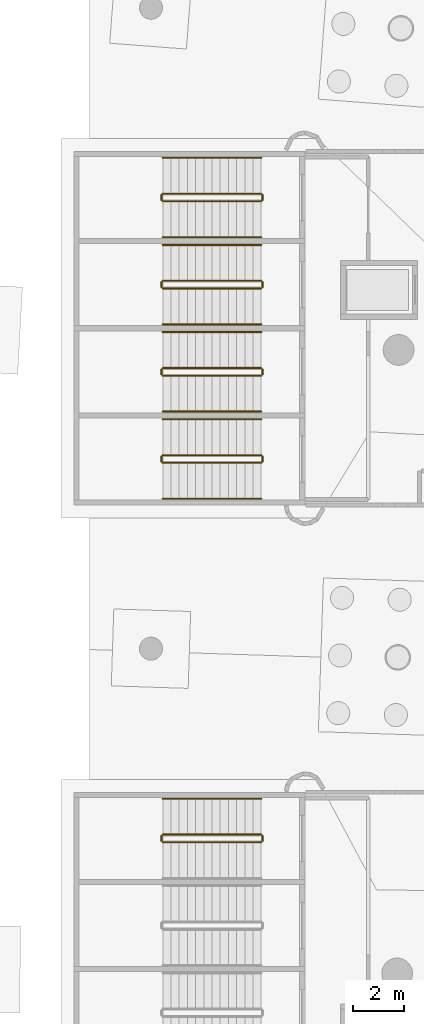
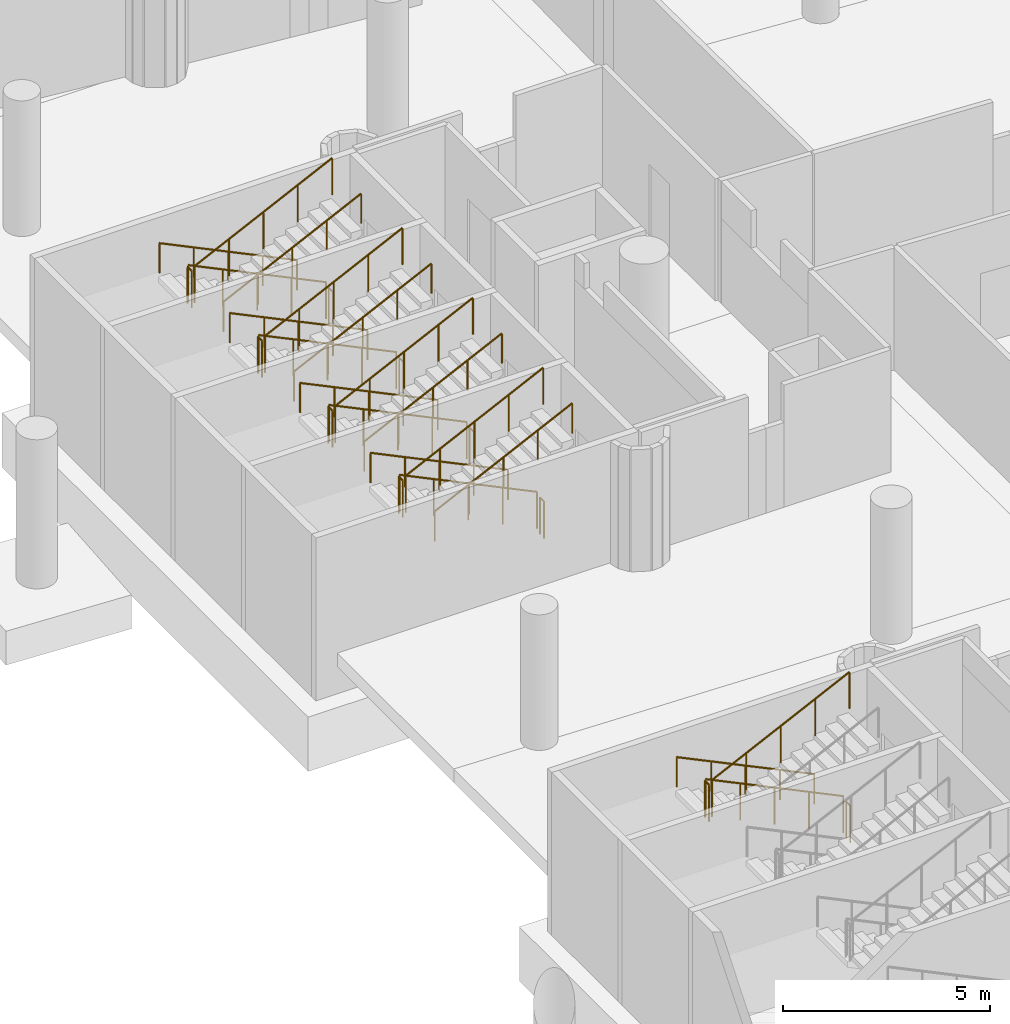
# One storey, part 127 of 142: 29 railings.
"""IFC4 building model written with IfcOpenShell, lengths in metres."""

from ifc_helpers import new_model, si_unit, direction, frame, origin, origin_2d, place, context, subcontext, project, spatial, circle, extrude, material, type_object, element, save


model = new_model("IFC4")

# Units and contexts
model_context = context("Model", 3, precision=1e-05, world=origin(), true_north=direction((0.0, 1.0)))
body_context = subcontext(model_context, "Body", "Model", "MODEL_VIEW")
ifc_project = project(units=[si_unit("LENGTHUNIT", "METRE"), si_unit("AREAUNIT", "SQUARE_METRE"), si_unit("VOLUMEUNIT", "CUBIC_METRE"), si_unit("PLANEANGLEUNIT", "RADIAN"), si_unit("MASSUNIT", "GRAM", prefix="KILO")], contexts=[model_context])

# Site, building, storey
site_placement = place(None, origin())
site = spatial("IfcSite", under=ifc_project, at=site_placement, CompositionType="ELEMENT")
building_placement = place(site_placement, origin())
building = spatial("IfcBuilding", under=site, at=building_placement, Name="Meseta Stadium", CompositionType="ELEMENT")
storey_placement = place(building_placement, frame((0.0, 0.0, -4.0)))
storey = spatial("IfcBuildingStorey", under=building, at=storey_placement, Name="B1", CompositionType="ELEMENT", Elevation=-4.0)

# Railings
ifc_material_1 = material(Name="Steel S355", Category="steel")
railing_type_1 = type_object("IfcRailingType", Name="Stair guard 1100", PredefinedType="GUARDRAIL", material=ifc_material_1)
railing_1_placement = place(storey_placement, frame((-90.300048828125, 36.5, 0.15380859375)))
element("IfcRailing", 1, at=railing_1_placement, inside=storey, type_object=railing_type_1, Name="ST61 B1 guard 1", PredefinedType="GUARDRAIL", context=body_context, shape_type="SweptSolid", body=[
    extrude(circle(Radius=0.02392578125, at=origin_2d()), frame((0.0, 0.0, 1.076171875), z_axis=(-0.901242096526, 0.0, 0.43331591645), x_axis=(0.0, -1.0, 0.0)), (0.0, 0.0, 1.0), 4.260498046875),
    extrude(circle(Radius=0.02099609375, at=origin_2d()), origin(), (0.0, 0.0, 1.0), 1.052001953125),
    extrude(circle(Radius=0.02099609375, at=origin_2d()), frame((-0.9599609375, 0.0, 0.46142578125)), (0.0, 0.0, 1.0), 1.052001953125),
    extrude(circle(Radius=0.02099609375, at=origin_2d()), frame((-1.919921875, 0.0, 0.923095703125)), (0.0, 0.0, 1.0), 1.052001953125),
    extrude(circle(Radius=0.02099609375, at=origin_2d()), frame((-2.8798828125, 0.0, 1.384765625)), (0.0, 0.0, 1.0), 1.052001953125),
    extrude(circle(Radius=0.02099609375, at=origin_2d()), frame((-3.83984375, 0.0, 1.84619140625)), (0.0, 0.0, 1.0), 1.052001953125),
])
railing_2_placement = place(storey_placement, frame((-94.18994140625, 36.449951171875, 2.0)))
element("IfcRailing", 2, at=railing_2_placement, inside=storey, type_object=railing_type_1, Name="ST61 B1 guard 2", PredefinedType="GUARDRAIL", context=body_context, shape_type="SweptSolid", body=[
    extrude(circle(Radius=0.02392578125, at=origin_2d()), frame((0.0, 0.0, 1.076171875), z_axis=(0.0, -1.0, 0.0), x_axis=(1.0, 0.0, 0.0)), (0.0, 0.0, 1.0), 0.199951171875),
    extrude(circle(Radius=0.02099609375, at=origin_2d()), origin(), (0.0, 0.0, 1.0), 1.052001953125),
    extrude(circle(Radius=0.02099609375, at=origin_2d()), frame((0.0, -0.199951171875, 0.0)), (0.0, 0.0, 1.0), 1.052001953125),
])
railing_3_placement = place(storey_placement, frame((-94.139892578125, 36.199951171875, 2.15380859375)))
element("IfcRailing", 3, at=railing_3_placement, inside=storey, type_object=railing_type_1, Name="ST61 B1 guard 3", PredefinedType="GUARDRAIL", context=body_context, shape_type="SweptSolid", body=[
    extrude(circle(Radius=0.02392578125, at=origin_2d()), frame((0.0, 0.0, 1.076171875), z_axis=(0.901242096526, 0.0, 0.43331591645), x_axis=(0.0, 1.0, 0.0)), (0.0, 0.0, 1.0), 4.260498046875),
    extrude(circle(Radius=0.02099609375, at=origin_2d()), origin(), (0.0, 0.0, 1.0), 1.052001953125),
    extrude(circle(Radius=0.02099609375, at=origin_2d()), frame((0.9599609375, 0.0, 0.46142578125)), (0.0, 0.0, 1.0), 1.052001953125),
    extrude(circle(Radius=0.02099609375, at=origin_2d()), frame((1.919921875, 0.0, 0.923095703125)), (0.0, 0.0, 1.0), 1.052001953125),
    extrude(circle(Radius=0.02099609375, at=origin_2d()), frame((2.8798828125, 0.0, 1.384765625)), (0.0, 0.0, 1.0), 1.052001953125),
    extrude(circle(Radius=0.02099609375, at=origin_2d()), frame((3.83984375, 0.0, 1.84619140625)), (0.0, 0.0, 1.0), 1.052001953125),
])
railing_4_placement = place(storey_placement, frame((-90.25, 36.449951171875, 0.0)))
element("IfcRailing", 4, at=railing_4_placement, inside=storey, type_object=railing_type_1, Name="ST61 B1 guard 4", PredefinedType="GUARDRAIL", context=body_context, shape_type="SweptSolid", body=[
    extrude(circle(Radius=0.02392578125, at=origin_2d()), frame((0.0, 0.0, 1.076171875), z_axis=(0.0, -1.0, 0.0), x_axis=(1.0, 0.0, 0.0)), (0.0, 0.0, 1.0), 0.199951171875),
    extrude(circle(Radius=0.02099609375, at=origin_2d()), origin(), (0.0, 0.0, 1.0), 1.052001953125),
    extrude(circle(Radius=0.02099609375, at=origin_2d()), frame((0.0, -0.199951171875, 0.0)), (0.0, 0.0, 1.0), 1.052001953125),
])
railing_5_placement = place(storey_placement, frame((-90.300048828125, 33.10009765625, 0.15380859375)))
element("IfcRailing", 5, at=railing_5_placement, inside=storey, type_object=railing_type_1, Name="ST62 B1 guard 1", PredefinedType="GUARDRAIL", context=body_context, shape_type="SweptSolid", body=[
    extrude(circle(Radius=0.02392578125, at=origin_2d()), frame((0.0, 0.0, 1.076171875), z_axis=(-0.901242096526, 0.0, 0.43331591645), x_axis=(0.0, -1.0, 0.0)), (0.0, 0.0, 1.0), 4.260498046875),
    extrude(circle(Radius=0.02099609375, at=origin_2d()), origin(), (0.0, 0.0, 1.0), 1.052001953125),
    extrude(circle(Radius=0.02099609375, at=origin_2d()), frame((-0.9599609375, 0.0, 0.46142578125)), (0.0, 0.0, 1.0), 1.052001953125),
    extrude(circle(Radius=0.02099609375, at=origin_2d()), frame((-1.919921875, 0.0, 0.923095703125)), (0.0, 0.0, 1.0), 1.052001953125),
    extrude(circle(Radius=0.02099609375, at=origin_2d()), frame((-2.8798828125, 0.0, 1.384765625)), (0.0, 0.0, 1.0), 1.052001953125),
    extrude(circle(Radius=0.02099609375, at=origin_2d()), frame((-3.83984375, 0.0, 1.84619140625)), (0.0, 0.0, 1.0), 1.052001953125),
])
railing_6_placement = place(storey_placement, frame((-94.18994140625, 33.050048828125, 2.0)))
element("IfcRailing", 6, at=railing_6_placement, inside=storey, type_object=railing_type_1, Name="ST62 B1 guard 2", PredefinedType="GUARDRAIL", context=body_context, shape_type="SweptSolid", body=[
    extrude(circle(Radius=0.02392578125, at=origin_2d()), frame((0.0, 0.0, 1.076171875), z_axis=(0.0, -1.0, 0.0), x_axis=(1.0, 0.0, 0.0)), (0.0, 0.0, 1.0), 0.199951171875),
    extrude(circle(Radius=0.02099609375, at=origin_2d()), origin(), (0.0, 0.0, 1.0), 1.052001953125),
    extrude(circle(Radius=0.02099609375, at=origin_2d()), frame((0.0, -0.199951171875, 0.0)), (0.0, 0.0, 1.0), 1.052001953125),
])
railing_7_placement = place(storey_placement, frame((-94.139892578125, 32.800048828125, 2.15380859375)))
element("IfcRailing", 7, at=railing_7_placement, inside=storey, type_object=railing_type_1, Name="ST62 B1 guard 3", PredefinedType="GUARDRAIL", context=body_context, shape_type="SweptSolid", body=[
    extrude(circle(Radius=0.02392578125, at=origin_2d()), frame((0.0, 0.0, 1.076171875), z_axis=(0.901242096526, 0.0, 0.43331591645), x_axis=(0.0, 1.0, 0.0)), (0.0, 0.0, 1.0), 4.260498046875),
    extrude(circle(Radius=0.02099609375, at=origin_2d()), origin(), (0.0, 0.0, 1.0), 1.052001953125),
    extrude(circle(Radius=0.02099609375, at=origin_2d()), frame((0.9599609375, 0.0, 0.46142578125)), (0.0, 0.0, 1.0), 1.052001953125),
    extrude(circle(Radius=0.02099609375, at=origin_2d()), frame((1.919921875, 0.0, 0.923095703125)), (0.0, 0.0, 1.0), 1.052001953125),
    extrude(circle(Radius=0.02099609375, at=origin_2d()), frame((2.8798828125, 0.0, 1.384765625)), (0.0, 0.0, 1.0), 1.052001953125),
    extrude(circle(Radius=0.02099609375, at=origin_2d()), frame((3.83984375, 0.0, 1.84619140625)), (0.0, 0.0, 1.0), 1.052001953125),
])
railing_8_placement = place(storey_placement, frame((-90.25, 33.050048828125, 0.0)))
element("IfcRailing", 8, at=railing_8_placement, inside=storey, type_object=railing_type_1, Name="ST62 B1 guard 4", PredefinedType="GUARDRAIL", context=body_context, shape_type="SweptSolid", body=[
    extrude(circle(Radius=0.02392578125, at=origin_2d()), frame((0.0, 0.0, 1.076171875), z_axis=(0.0, -1.0, 0.0), x_axis=(1.0, 0.0, 0.0)), (0.0, 0.0, 1.0), 0.199951171875),
    extrude(circle(Radius=0.02099609375, at=origin_2d()), origin(), (0.0, 0.0, 1.0), 1.052001953125),
    extrude(circle(Radius=0.02099609375, at=origin_2d()), frame((0.0, -0.199951171875, 0.0)), (0.0, 0.0, 1.0), 1.052001953125),
])
railing_9_placement = place(storey_placement, frame((-90.300048828125, 29.699951171875, 0.15380859375)))
element("IfcRailing", 9, at=railing_9_placement, inside=storey, type_object=railing_type_1, Name="ST63 B1 guard 1", PredefinedType="GUARDRAIL", context=body_context, shape_type="SweptSolid", body=[
    extrude(circle(Radius=0.02392578125, at=origin_2d()), frame((0.0, 0.0, 1.076171875), z_axis=(-0.901242096526, 0.0, 0.43331591645), x_axis=(0.0, -1.0, 0.0)), (0.0, 0.0, 1.0), 4.260498046875),
    extrude(circle(Radius=0.02099609375, at=origin_2d()), origin(), (0.0, 0.0, 1.0), 1.052001953125),
    extrude(circle(Radius=0.02099609375, at=origin_2d()), frame((-0.9599609375, 0.0, 0.46142578125)), (0.0, 0.0, 1.0), 1.052001953125),
    extrude(circle(Radius=0.02099609375, at=origin_2d()), frame((-1.919921875, 0.0, 0.923095703125)), (0.0, 0.0, 1.0), 1.052001953125),
    extrude(circle(Radius=0.02099609375, at=origin_2d()), frame((-2.8798828125, 0.0, 1.384765625)), (0.0, 0.0, 1.0), 1.052001953125),
    extrude(circle(Radius=0.02099609375, at=origin_2d()), frame((-3.83984375, 0.0, 1.84619140625)), (0.0, 0.0, 1.0), 1.052001953125),
])
railing_10_placement = place(storey_placement, frame((-94.18994140625, 29.64990234375, 2.0)))
element("IfcRailing", 10, at=railing_10_placement, inside=storey, type_object=railing_type_1, Name="ST63 B1 guard 2", PredefinedType="GUARDRAIL", context=body_context, shape_type="SweptSolid", body=[
    extrude(circle(Radius=0.02392578125, at=origin_2d()), frame((0.0, 0.0, 1.076171875), z_axis=(0.0, -1.0, 0.0), x_axis=(1.0, 0.0, 0.0)), (0.0, 0.0, 1.0), 0.199951171875),
    extrude(circle(Radius=0.02099609375, at=origin_2d()), origin(), (0.0, 0.0, 1.0), 1.052001953125),
    extrude(circle(Radius=0.02099609375, at=origin_2d()), frame((0.0, -0.199951171875, 0.0)), (0.0, 0.0, 1.0), 1.052001953125),
])
railing_11_placement = place(storey_placement, frame((-94.139892578125, 29.39990234375, 2.15380859375)))
element("IfcRailing", 11, at=railing_11_placement, inside=storey, type_object=railing_type_1, Name="ST63 B1 guard 3", PredefinedType="GUARDRAIL", context=body_context, shape_type="SweptSolid", body=[
    extrude(circle(Radius=0.02392578125, at=origin_2d()), frame((0.0, 0.0, 1.076171875), z_axis=(0.901242096526, 0.0, 0.43331591645), x_axis=(0.0, 1.0, 0.0)), (0.0, 0.0, 1.0), 4.260498046875),
    extrude(circle(Radius=0.02099609375, at=origin_2d()), origin(), (0.0, 0.0, 1.0), 1.052001953125),
    extrude(circle(Radius=0.02099609375, at=origin_2d()), frame((0.9599609375, 0.0, 0.46142578125)), (0.0, 0.0, 1.0), 1.052001953125),
    extrude(circle(Radius=0.02099609375, at=origin_2d()), frame((1.919921875, 0.0, 0.923095703125)), (0.0, 0.0, 1.0), 1.052001953125),
    extrude(circle(Radius=0.02099609375, at=origin_2d()), frame((2.8798828125, 0.0, 1.384765625)), (0.0, 0.0, 1.0), 1.052001953125),
    extrude(circle(Radius=0.02099609375, at=origin_2d()), frame((3.83984375, 0.0, 1.84619140625)), (0.0, 0.0, 1.0), 1.052001953125),
])
railing_12_placement = place(storey_placement, frame((-90.25, 29.64990234375, 0.0)))
element("IfcRailing", 12, at=railing_12_placement, inside=storey, type_object=railing_type_1, Name="ST63 B1 guard 4", PredefinedType="GUARDRAIL", context=body_context, shape_type="SweptSolid", body=[
    extrude(circle(Radius=0.02392578125, at=origin_2d()), frame((0.0, 0.0, 1.076171875), z_axis=(0.0, -1.0, 0.0), x_axis=(1.0, 0.0, 0.0)), (0.0, 0.0, 1.0), 0.199951171875),
    extrude(circle(Radius=0.02099609375, at=origin_2d()), origin(), (0.0, 0.0, 1.0), 1.052001953125),
    extrude(circle(Radius=0.02099609375, at=origin_2d()), frame((0.0, -0.199951171875, 0.0)), (0.0, 0.0, 1.0), 1.052001953125),
])
railing_13_placement = place(storey_placement, frame((-90.300048828125, 26.300048828125, 0.15380859375)))
element("IfcRailing", 13, at=railing_13_placement, inside=storey, type_object=railing_type_1, Name="ST64 B1 guard 1", PredefinedType="GUARDRAIL", context=body_context, shape_type="SweptSolid", body=[
    extrude(circle(Radius=0.02392578125, at=origin_2d()), frame((0.0, 0.0, 1.076171875), z_axis=(-0.901242096526, 0.0, 0.43331591645), x_axis=(0.0, -1.0, 0.0)), (0.0, 0.0, 1.0), 4.260498046875),
    extrude(circle(Radius=0.02099609375, at=origin_2d()), origin(), (0.0, 0.0, 1.0), 1.052001953125),
    extrude(circle(Radius=0.02099609375, at=origin_2d()), frame((-0.9599609375, 0.0, 0.46142578125)), (0.0, 0.0, 1.0), 1.052001953125),
    extrude(circle(Radius=0.02099609375, at=origin_2d()), frame((-1.919921875, 0.0, 0.923095703125)), (0.0, 0.0, 1.0), 1.052001953125),
    extrude(circle(Radius=0.02099609375, at=origin_2d()), frame((-2.8798828125, 0.0, 1.384765625)), (0.0, 0.0, 1.0), 1.052001953125),
    extrude(circle(Radius=0.02099609375, at=origin_2d()), frame((-3.83984375, 0.0, 1.84619140625)), (0.0, 0.0, 1.0), 1.052001953125),
])
railing_14_placement = place(storey_placement, frame((-94.18994140625, 26.25, 2.0)))
element("IfcRailing", 14, at=railing_14_placement, inside=storey, type_object=railing_type_1, Name="ST64 B1 guard 2", PredefinedType="GUARDRAIL", context=body_context, shape_type="SweptSolid", body=[
    extrude(circle(Radius=0.02392578125, at=origin_2d()), frame((0.0, 0.0, 1.076171875), z_axis=(0.0, -1.0, 0.0), x_axis=(1.0, 0.0, 0.0)), (0.0, 0.0, 1.0), 0.199951171875),
    extrude(circle(Radius=0.02099609375, at=origin_2d()), origin(), (0.0, 0.0, 1.0), 1.052001953125),
    extrude(circle(Radius=0.02099609375, at=origin_2d()), frame((0.0, -0.199951171875, 0.0)), (0.0, 0.0, 1.0), 1.052001953125),
])
railing_15_placement = place(storey_placement, frame((-94.139892578125, 26.0, 2.15380859375)))
element("IfcRailing", 15, at=railing_15_placement, inside=storey, type_object=railing_type_1, Name="ST64 B1 guard 3", PredefinedType="GUARDRAIL", context=body_context, shape_type="SweptSolid", body=[
    extrude(circle(Radius=0.02392578125, at=origin_2d()), frame((0.0, 0.0, 1.076171875), z_axis=(0.901242096526, 0.0, 0.43331591645), x_axis=(0.0, 1.0, 0.0)), (0.0, 0.0, 1.0), 4.260498046875),
    extrude(circle(Radius=0.02099609375, at=origin_2d()), origin(), (0.0, 0.0, 1.0), 1.052001953125),
    extrude(circle(Radius=0.02099609375, at=origin_2d()), frame((0.9599609375, 0.0, 0.46142578125)), (0.0, 0.0, 1.0), 1.052001953125),
    extrude(circle(Radius=0.02099609375, at=origin_2d()), frame((1.919921875, 0.0, 0.923095703125)), (0.0, 0.0, 1.0), 1.052001953125),
    extrude(circle(Radius=0.02099609375, at=origin_2d()), frame((2.8798828125, 0.0, 1.384765625)), (0.0, 0.0, 1.0), 1.052001953125),
    extrude(circle(Radius=0.02099609375, at=origin_2d()), frame((3.83984375, 0.0, 1.84619140625)), (0.0, 0.0, 1.0), 1.052001953125),
])
railing_16_placement = place(storey_placement, frame((-90.25, 26.25, 0.0)))
element("IfcRailing", 16, at=railing_16_placement, inside=storey, type_object=railing_type_1, Name="ST64 B1 guard 4", PredefinedType="GUARDRAIL", context=body_context, shape_type="SweptSolid", body=[
    extrude(circle(Radius=0.02392578125, at=origin_2d()), frame((0.0, 0.0, 1.076171875), z_axis=(0.0, -1.0, 0.0), x_axis=(1.0, 0.0, 0.0)), (0.0, 0.0, 1.0), 0.199951171875),
    extrude(circle(Radius=0.02099609375, at=origin_2d()), origin(), (0.0, 0.0, 1.0), 1.052001953125),
    extrude(circle(Radius=0.02099609375, at=origin_2d()), frame((0.0, -0.199951171875, 0.0)), (0.0, 0.0, 1.0), 1.052001953125),
])
railing_17_placement = place(storey_placement, frame((-90.300048828125, 11.5, 0.15380859375)))
element("IfcRailing", 17, at=railing_17_placement, inside=storey, type_object=railing_type_1, Name="ST65 B1 guard 1", PredefinedType="GUARDRAIL", context=body_context, shape_type="SweptSolid", body=[
    extrude(circle(Radius=0.02392578125, at=origin_2d()), frame((0.0, 0.0, 1.076171875), z_axis=(-0.901242096526, 0.0, 0.43331591645), x_axis=(0.0, -1.0, 0.0)), (0.0, 0.0, 1.0), 4.260498046875),
    extrude(circle(Radius=0.02099609375, at=origin_2d()), origin(), (0.0, 0.0, 1.0), 1.052001953125),
    extrude(circle(Radius=0.02099609375, at=origin_2d()), frame((-0.9599609375, 0.0, 0.46142578125)), (0.0, 0.0, 1.0), 1.052001953125),
    extrude(circle(Radius=0.02099609375, at=origin_2d()), frame((-1.919921875, 0.0, 0.923095703125)), (0.0, 0.0, 1.0), 1.052001953125),
    extrude(circle(Radius=0.02099609375, at=origin_2d()), frame((-2.8798828125, 0.0, 1.384765625)), (0.0, 0.0, 1.0), 1.052001953125),
    extrude(circle(Radius=0.02099609375, at=origin_2d()), frame((-3.83984375, 0.0, 1.84619140625)), (0.0, 0.0, 1.0), 1.052001953125),
])
railing_18_placement = place(storey_placement, frame((-94.18994140625, 11.449951171875, 2.0)))
element("IfcRailing", 18, at=railing_18_placement, inside=storey, type_object=railing_type_1, Name="ST65 B1 guard 2", PredefinedType="GUARDRAIL", context=body_context, shape_type="SweptSolid", body=[
    extrude(circle(Radius=0.02392578125, at=origin_2d()), frame((0.0, 0.0, 1.076171875), z_axis=(0.0, -1.0, 0.0), x_axis=(1.0, 0.0, 0.0)), (0.0, 0.0, 1.0), 0.199951171875),
    extrude(circle(Radius=0.02099609375, at=origin_2d()), origin(), (0.0, 0.0, 1.0), 1.052001953125),
    extrude(circle(Radius=0.02099609375, at=origin_2d()), frame((0.0, -0.199951171875, 0.0)), (0.0, 0.0, 1.0), 1.052001953125),
])
railing_19_placement = place(storey_placement, frame((-94.139892578125, 11.199951171875, 2.15380859375)))
element("IfcRailing", 19, at=railing_19_placement, inside=storey, type_object=railing_type_1, Name="ST65 B1 guard 3", PredefinedType="GUARDRAIL", context=body_context, shape_type="SweptSolid", body=[
    extrude(circle(Radius=0.02392578125, at=origin_2d()), frame((0.0, 0.0, 1.076171875), z_axis=(0.901242096526, 0.0, 0.43331591645), x_axis=(0.0, 1.0, 0.0)), (0.0, 0.0, 1.0), 4.260498046875),
    extrude(circle(Radius=0.02099609375, at=origin_2d()), origin(), (0.0, 0.0, 1.0), 1.052001953125),
    extrude(circle(Radius=0.02099609375, at=origin_2d()), frame((0.9599609375, 0.0, 0.46142578125)), (0.0, 0.0, 1.0), 1.052001953125),
    extrude(circle(Radius=0.02099609375, at=origin_2d()), frame((1.919921875, 0.0, 0.923095703125)), (0.0, 0.0, 1.0), 1.052001953125),
    extrude(circle(Radius=0.02099609375, at=origin_2d()), frame((2.8798828125, 0.0, 1.384765625)), (0.0, 0.0, 1.0), 1.052001953125),
    extrude(circle(Radius=0.02099609375, at=origin_2d()), frame((3.83984375, 0.0, 1.84619140625)), (0.0, 0.0, 1.0), 1.052001953125),
])
railing_20_placement = place(storey_placement, frame((-90.25, 11.449951171875, 0.0)))
element("IfcRailing", 20, at=railing_20_placement, inside=storey, type_object=railing_type_1, Name="ST65 B1 guard 4", PredefinedType="GUARDRAIL", context=body_context, shape_type="SweptSolid", body=[
    extrude(circle(Radius=0.02392578125, at=origin_2d()), frame((0.0, 0.0, 1.076171875), z_axis=(0.0, -1.0, 0.0), x_axis=(1.0, 0.0, 0.0)), (0.0, 0.0, 1.0), 0.199951171875),
    extrude(circle(Radius=0.02099609375, at=origin_2d()), origin(), (0.0, 0.0, 1.0), 1.052001953125),
    extrude(circle(Radius=0.02099609375, at=origin_2d()), frame((0.0, -0.199951171875, 0.0)), (0.0, 0.0, 1.0), 1.052001953125),
])
ifc_material_2 = material(Name="Steel S355", Category="steel")
railing_type_2 = type_object("IfcRailingType", Name="Stair handrail 900", PredefinedType="HANDRAIL", material=ifc_material_2)
railing_21_placement = place(storey_placement, frame((-90.300048828125, 37.89990234375, 0.15380859375)))
element("IfcRailing", 21, at=railing_21_placement, inside=storey, type_object=railing_type_2, Name="ST61 B1 handrail 1", PredefinedType="HANDRAIL", context=body_context, shape_type="SweptSolid", body=[
    extrude(circle(Radius=0.02392578125, at=origin_2d()), frame((0.0, 0.0, 0.8759765625), z_axis=(-0.901242096526, 0.0, 0.43331591645), x_axis=(0.0, -1.0, 0.0)), (0.0, 0.0, 1.0), 4.260498046875),
    extrude(circle(Radius=0.02099609375, at=origin_2d()), origin(), (0.0, 0.0, 1.0), 0.851806640625),
    extrude(circle(Radius=0.02099609375, at=origin_2d()), frame((-0.9599609375, 0.0, 0.46142578125)), (0.0, 0.0, 1.0), 0.851806640625),
    extrude(circle(Radius=0.02099609375, at=origin_2d()), frame((-1.919921875, 0.0, 0.923095703125)), (0.0, 0.0, 1.0), 0.851806640625),
    extrude(circle(Radius=0.02099609375, at=origin_2d()), frame((-2.8798828125, 0.0, 1.384765625)), (0.0, 0.0, 1.0), 0.851806640625),
    extrude(circle(Radius=0.02099609375, at=origin_2d()), frame((-3.83984375, 0.0, 1.84619140625)), (0.0, 0.0, 1.0), 0.851806640625),
])
railing_22_placement = place(storey_placement, frame((-94.139892578125, 34.800048828125, 2.15380859375)))
element("IfcRailing", 22, at=railing_22_placement, inside=storey, type_object=railing_type_2, Name="ST61 B1 handrail 2", PredefinedType="HANDRAIL", context=body_context, shape_type="SweptSolid", body=[
    extrude(circle(Radius=0.02392578125, at=origin_2d()), frame((0.0, 0.0, 0.8759765625), z_axis=(0.901242096526, 0.0, 0.43331591645), x_axis=(0.0, 1.0, 0.0)), (0.0, 0.0, 1.0), 4.260498046875),
    extrude(circle(Radius=0.02099609375, at=origin_2d()), origin(), (0.0, 0.0, 1.0), 0.851806640625),
    extrude(circle(Radius=0.02099609375, at=origin_2d()), frame((0.9599609375, 0.0, 0.46142578125)), (0.0, 0.0, 1.0), 0.851806640625),
    extrude(circle(Radius=0.02099609375, at=origin_2d()), frame((1.919921875, 0.0, 0.923095703125)), (0.0, 0.0, 1.0), 0.851806640625),
    extrude(circle(Radius=0.02099609375, at=origin_2d()), frame((2.8798828125, 0.0, 1.384765625)), (0.0, 0.0, 1.0), 0.851806640625),
    extrude(circle(Radius=0.02099609375, at=origin_2d()), frame((3.83984375, 0.0, 1.84619140625)), (0.0, 0.0, 1.0), 0.851806640625),
])
railing_23_placement = place(storey_placement, frame((-90.300048828125, 34.5, 0.15380859375)))
element("IfcRailing", 23, at=railing_23_placement, inside=storey, type_object=railing_type_2, Name="ST62 B1 handrail 1", PredefinedType="HANDRAIL", context=body_context, shape_type="SweptSolid", body=[
    extrude(circle(Radius=0.02392578125, at=origin_2d()), frame((0.0, 0.0, 0.8759765625), z_axis=(-0.901242096526, 0.0, 0.43331591645), x_axis=(0.0, -1.0, 0.0)), (0.0, 0.0, 1.0), 4.260498046875),
    extrude(circle(Radius=0.02099609375, at=origin_2d()), origin(), (0.0, 0.0, 1.0), 0.851806640625),
    extrude(circle(Radius=0.02099609375, at=origin_2d()), frame((-0.9599609375, 0.0, 0.46142578125)), (0.0, 0.0, 1.0), 0.851806640625),
    extrude(circle(Radius=0.02099609375, at=origin_2d()), frame((-1.919921875, 0.0, 0.923095703125)), (0.0, 0.0, 1.0), 0.851806640625),
    extrude(circle(Radius=0.02099609375, at=origin_2d()), frame((-2.8798828125, 0.0, 1.384765625)), (0.0, 0.0, 1.0), 0.851806640625),
    extrude(circle(Radius=0.02099609375, at=origin_2d()), frame((-3.83984375, 0.0, 1.84619140625)), (0.0, 0.0, 1.0), 0.851806640625),
])
railing_24_placement = place(storey_placement, frame((-94.139892578125, 31.39990234375, 2.15380859375)))
element("IfcRailing", 24, at=railing_24_placement, inside=storey, type_object=railing_type_2, Name="ST62 B1 handrail 2", PredefinedType="HANDRAIL", context=body_context, shape_type="SweptSolid", body=[
    extrude(circle(Radius=0.02392578125, at=origin_2d()), frame((0.0, 0.0, 0.8759765625), z_axis=(0.901242096526, 0.0, 0.43331591645), x_axis=(0.0, 1.0, 0.0)), (0.0, 0.0, 1.0), 4.260498046875),
    extrude(circle(Radius=0.02099609375, at=origin_2d()), origin(), (0.0, 0.0, 1.0), 0.851806640625),
    extrude(circle(Radius=0.02099609375, at=origin_2d()), frame((0.9599609375, 0.0, 0.46142578125)), (0.0, 0.0, 1.0), 0.851806640625),
    extrude(circle(Radius=0.02099609375, at=origin_2d()), frame((1.919921875, 0.0, 0.923095703125)), (0.0, 0.0, 1.0), 0.851806640625),
    extrude(circle(Radius=0.02099609375, at=origin_2d()), frame((2.8798828125, 0.0, 1.384765625)), (0.0, 0.0, 1.0), 0.851806640625),
    extrude(circle(Radius=0.02099609375, at=origin_2d()), frame((3.83984375, 0.0, 1.84619140625)), (0.0, 0.0, 1.0), 0.851806640625),
])
railing_25_placement = place(storey_placement, frame((-90.300048828125, 31.10009765625, 0.15380859375)))
element("IfcRailing", 25, at=railing_25_placement, inside=storey, type_object=railing_type_2, Name="ST63 B1 handrail 1", PredefinedType="HANDRAIL", context=body_context, shape_type="SweptSolid", body=[
    extrude(circle(Radius=0.02392578125, at=origin_2d()), frame((0.0, 0.0, 0.8759765625), z_axis=(-0.901242096526, 0.0, 0.43331591645), x_axis=(0.0, -1.0, 0.0)), (0.0, 0.0, 1.0), 4.260498046875),
    extrude(circle(Radius=0.02099609375, at=origin_2d()), origin(), (0.0, 0.0, 1.0), 0.851806640625),
    extrude(circle(Radius=0.02099609375, at=origin_2d()), frame((-0.9599609375, 0.0, 0.46142578125)), (0.0, 0.0, 1.0), 0.851806640625),
    extrude(circle(Radius=0.02099609375, at=origin_2d()), frame((-1.919921875, 0.0, 0.923095703125)), (0.0, 0.0, 1.0), 0.851806640625),
    extrude(circle(Radius=0.02099609375, at=origin_2d()), frame((-2.8798828125, 0.0, 1.384765625)), (0.0, 0.0, 1.0), 0.851806640625),
    extrude(circle(Radius=0.02099609375, at=origin_2d()), frame((-3.83984375, 0.0, 1.84619140625)), (0.0, 0.0, 1.0), 0.851806640625),
])
railing_26_placement = place(storey_placement, frame((-94.139892578125, 28.0, 2.15380859375)))
element("IfcRailing", 26, at=railing_26_placement, inside=storey, type_object=railing_type_2, Name="ST63 B1 handrail 2", PredefinedType="HANDRAIL", context=body_context, shape_type="SweptSolid", body=[
    extrude(circle(Radius=0.02392578125, at=origin_2d()), frame((0.0, 0.0, 0.8759765625), z_axis=(0.901242096526, 0.0, 0.43331591645), x_axis=(0.0, 1.0, 0.0)), (0.0, 0.0, 1.0), 4.260498046875),
    extrude(circle(Radius=0.02099609375, at=origin_2d()), origin(), (0.0, 0.0, 1.0), 0.851806640625),
    extrude(circle(Radius=0.02099609375, at=origin_2d()), frame((0.9599609375, 0.0, 0.46142578125)), (0.0, 0.0, 1.0), 0.851806640625),
    extrude(circle(Radius=0.02099609375, at=origin_2d()), frame((1.919921875, 0.0, 0.923095703125)), (0.0, 0.0, 1.0), 0.851806640625),
    extrude(circle(Radius=0.02099609375, at=origin_2d()), frame((2.8798828125, 0.0, 1.384765625)), (0.0, 0.0, 1.0), 0.851806640625),
    extrude(circle(Radius=0.02099609375, at=origin_2d()), frame((3.83984375, 0.0, 1.84619140625)), (0.0, 0.0, 1.0), 0.851806640625),
])
railing_27_placement = place(storey_placement, frame((-90.300048828125, 27.699951171875, 0.15380859375)))
element("IfcRailing", 27, at=railing_27_placement, inside=storey, type_object=railing_type_2, Name="ST64 B1 handrail 1", PredefinedType="HANDRAIL", context=body_context, shape_type="SweptSolid", body=[
    extrude(circle(Radius=0.02392578125, at=origin_2d()), frame((0.0, 0.0, 0.8759765625), z_axis=(-0.901242096526, 0.0, 0.43331591645), x_axis=(0.0, -1.0, 0.0)), (0.0, 0.0, 1.0), 4.260498046875),
    extrude(circle(Radius=0.02099609375, at=origin_2d()), origin(), (0.0, 0.0, 1.0), 0.851806640625),
    extrude(circle(Radius=0.02099609375, at=origin_2d()), frame((-0.9599609375, 0.0, 0.46142578125)), (0.0, 0.0, 1.0), 0.851806640625),
    extrude(circle(Radius=0.02099609375, at=origin_2d()), frame((-1.919921875, 0.0, 0.923095703125)), (0.0, 0.0, 1.0), 0.851806640625),
    extrude(circle(Radius=0.02099609375, at=origin_2d()), frame((-2.8798828125, 0.0, 1.384765625)), (0.0, 0.0, 1.0), 0.851806640625),
    extrude(circle(Radius=0.02099609375, at=origin_2d()), frame((-3.83984375, 0.0, 1.84619140625)), (0.0, 0.0, 1.0), 0.851806640625),
])
railing_28_placement = place(storey_placement, frame((-94.139892578125, 24.60009765625, 2.15380859375)))
element("IfcRailing", 28, at=railing_28_placement, inside=storey, type_object=railing_type_2, Name="ST64 B1 handrail 2", PredefinedType="HANDRAIL", context=body_context, shape_type="SweptSolid", body=[
    extrude(circle(Radius=0.02392578125, at=origin_2d()), frame((0.0, 0.0, 0.8759765625), z_axis=(0.901242096526, 0.0, 0.43331591645), x_axis=(0.0, 1.0, 0.0)), (0.0, 0.0, 1.0), 4.260498046875),
    extrude(circle(Radius=0.02099609375, at=origin_2d()), origin(), (0.0, 0.0, 1.0), 0.851806640625),
    extrude(circle(Radius=0.02099609375, at=origin_2d()), frame((0.9599609375, 0.0, 0.46142578125)), (0.0, 0.0, 1.0), 0.851806640625),
    extrude(circle(Radius=0.02099609375, at=origin_2d()), frame((1.919921875, 0.0, 0.923095703125)), (0.0, 0.0, 1.0), 0.851806640625),
    extrude(circle(Radius=0.02099609375, at=origin_2d()), frame((2.8798828125, 0.0, 1.384765625)), (0.0, 0.0, 1.0), 0.851806640625),
    extrude(circle(Radius=0.02099609375, at=origin_2d()), frame((3.83984375, 0.0, 1.84619140625)), (0.0, 0.0, 1.0), 0.851806640625),
])
railing_29_placement = place(storey_placement, frame((-90.300048828125, 12.89990234375, 0.15380859375)))
element("IfcRailing", 29, at=railing_29_placement, inside=storey, type_object=railing_type_2, Name="ST65 B1 handrail 1", PredefinedType="HANDRAIL", context=body_context, shape_type="SweptSolid", body=[
    extrude(circle(Radius=0.02392578125, at=origin_2d()), frame((0.0, 0.0, 0.8759765625), z_axis=(-0.901242096526, 0.0, 0.43331591645), x_axis=(0.0, -1.0, 0.0)), (0.0, 0.0, 1.0), 4.260498046875),
    extrude(circle(Radius=0.02099609375, at=origin_2d()), origin(), (0.0, 0.0, 1.0), 0.851806640625),
    extrude(circle(Radius=0.02099609375, at=origin_2d()), frame((-0.9599609375, 0.0, 0.46142578125)), (0.0, 0.0, 1.0), 0.851806640625),
    extrude(circle(Radius=0.02099609375, at=origin_2d()), frame((-1.919921875, 0.0, 0.923095703125)), (0.0, 0.0, 1.0), 0.851806640625),
    extrude(circle(Radius=0.02099609375, at=origin_2d()), frame((-2.8798828125, 0.0, 1.384765625)), (0.0, 0.0, 1.0), 0.851806640625),
    extrude(circle(Radius=0.02099609375, at=origin_2d()), frame((-3.83984375, 0.0, 1.84619140625)), (0.0, 0.0, 1.0), 0.851806640625),
])

save(model, "model.ifc")
